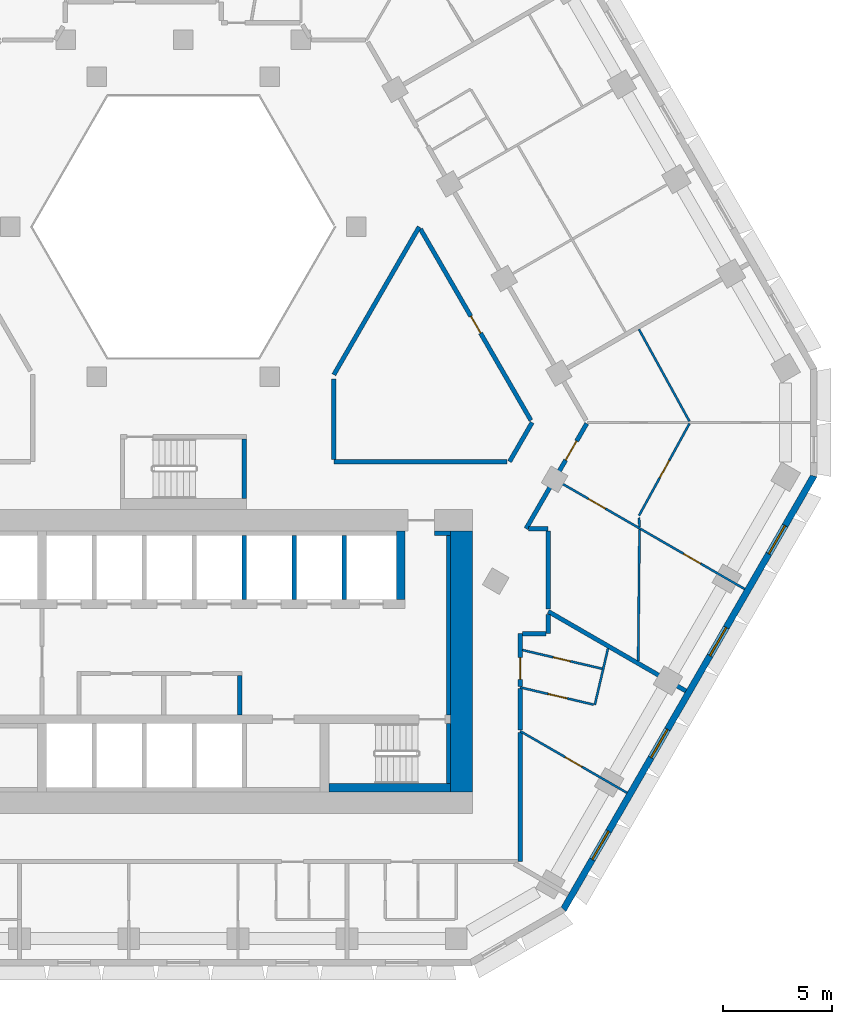
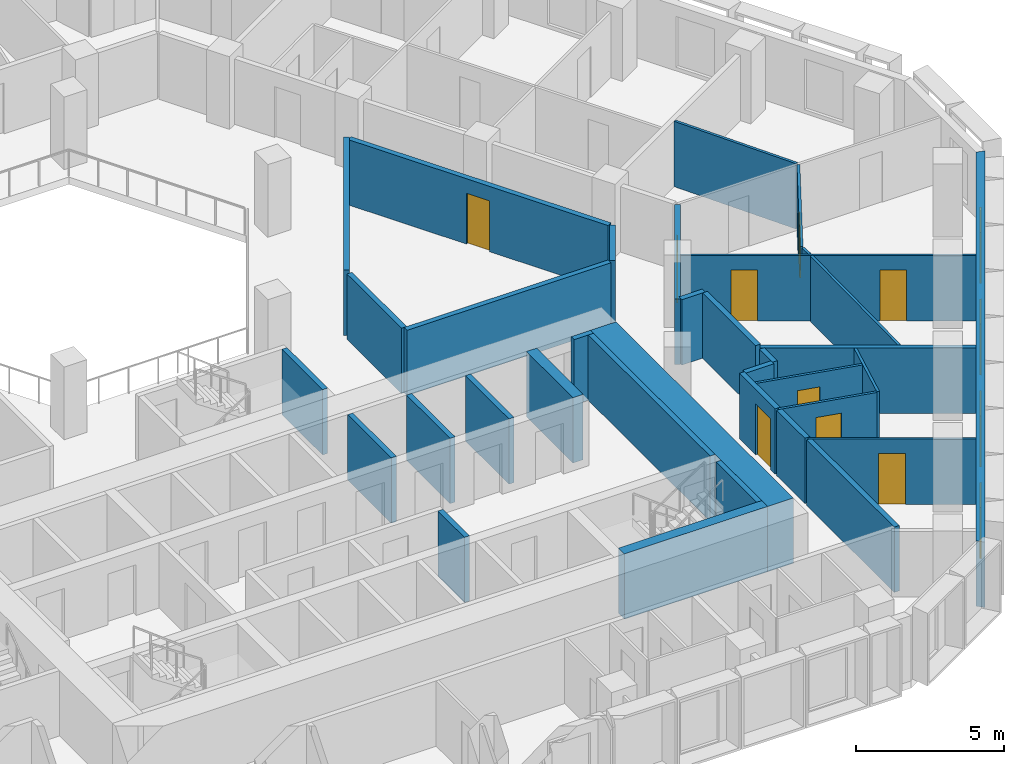
# One storey, part 6 of 15: 35 walls, 9 doors, 4 windows, 13 openings.
"""IFC4 building model written with IfcOpenShell, lengths in metres."""

from ifc_helpers import new_model, si_unit, direction, frame, frame_2d, origin, place, context, subcontext, project, spatial, polyline, rectangle, outline, extrude, material, layer, layer_set, type_object, element, fill, save


model = new_model("IFC4")

# Units and contexts
model_context = context("Model", 3, precision=1e-05, world=origin(), true_north=direction((0.0, 1.0)))
body_context = subcontext(model_context, "Body", "Model", "MODEL_VIEW")
ifc_project = project(units=[si_unit("LENGTHUNIT", "METRE"), si_unit("AREAUNIT", "SQUARE_METRE"), si_unit("VOLUMEUNIT", "CUBIC_METRE"), si_unit("PLANEANGLEUNIT", "RADIAN"), si_unit("MASSUNIT", "GRAM", prefix="KILO")], contexts=[model_context])

# Site, building, storey
site_placement = place(None, origin())
site = spatial("IfcSite", under=ifc_project, at=site_placement, CompositionType="ELEMENT")
building_placement = place(site_placement, origin())
building = spatial("IfcBuilding", under=site, at=building_placement, Name="Beryl Residences", CompositionType="ELEMENT")
storey_placement = place(building_placement, frame((0.0, 0.0, 72.0)))
storey = spatial("IfcBuildingStorey", under=building, at=storey_placement, Name="L21", CompositionType="ELEMENT", Elevation=72.0)

# Wall, openings, windows
ifc_material_1 = material(Name="Composite metal panel with mineral wool insulation")
ifc_layer_1 = layer(ifc_material_1, 0.300048828125)
ifc_layer_set_1 = layer_set([ifc_layer_1], Name="ES1 pale metal composite panel wall 300 mm")
wall_type_1 = type_object("IfcWallType", Name="ES1 pale metal composite panel wall 300 mm", PredefinedType="SOLIDWALL", material=ifc_layer_set_1)
wall_1_placement = place(storey_placement, frame((17.47900390625, -23.425048828125, 0.0), z_axis=(0.0, 0.0, 1.0), x_axis=(0.500035407905, 0.866004960056, 0.0)))
wall_1 = element("IfcWall", 1, at=wall_1_placement, inside=storey, type_object=wall_type_1, Name="ES1 external wall L21 SE", PredefinedType="SOLIDWALL", context=body_context, shape_type="SweptSolid", body=[
    extrude(outline(polyline([(0.0, -0.14990234375), (23.094482421875, -0.14990234375), (23.01416015625, 0.14990234375), (0.080322265625, 0.14990234375), (0.0, -0.14990234375)])), origin(), (0.0, 0.0, 1.0), 2.699951171875),
])
opening_1_placement = place(wall_1_placement, frame((2.677001953125, 0.0, 0.14990234375)))
opening_1 = element("IfcOpeningElement", 2, at=opening_1_placement, cuts=wall_1, Name="Opening W1", PredefinedType="OPENING", context=body_context, shape_type="SweptSolid", body=[
    extrude(rectangle(XDim=1.5, YDim=2.10009765625, at=frame_2d((0.75, 1.050048828125))), frame((0.0, 0.159912109375, 0.0), z_axis=(0.0, -1.0, 0.0), x_axis=(1.0, 0.0, 0.0)), (0.0, 0.0, 1.0), 0.320068359375),
])
opening_2_placement = place(wall_1_placement, frame((8.091064453125, 0.0, 0.14990234375)))
opening_2 = element("IfcOpeningElement", 3, at=opening_2_placement, cuts=wall_1, Name="Opening W1", PredefinedType="OPENING", context=body_context, shape_type="SweptSolid", body=[
    extrude(rectangle(XDim=1.5, YDim=2.10009765625, at=frame_2d((0.75, 1.050048828125))), frame((0.0, 0.159912109375, 0.0), z_axis=(0.0, -1.0, 0.0), x_axis=(1.0, 0.0, 0.0)), (0.0, 0.0, 1.0), 0.320068359375),
])
opening_3_placement = place(wall_1_placement, frame((13.50390625, 0.0, 0.14990234375)))
opening_3 = element("IfcOpeningElement", 4, at=opening_3_placement, cuts=wall_1, Name="Opening W1", PredefinedType="OPENING", context=body_context, shape_type="SweptSolid", body=[
    extrude(rectangle(XDim=1.5, YDim=2.10009765625, at=frame_2d((0.75, 1.050048828125))), frame((0.0, 0.159912109375, 0.0), z_axis=(0.0, -1.0, 0.0), x_axis=(1.0, 0.0, 0.0)), (0.0, 0.0, 1.0), 0.320068359375),
])
opening_4_placement = place(wall_1_placement, frame((18.9169921875, 0.0, 0.14990234375)))
opening_4 = element("IfcOpeningElement", 5, at=opening_4_placement, cuts=wall_1, Name="Opening W1", PredefinedType="OPENING", context=body_context, shape_type="SweptSolid", body=[
    extrude(rectangle(XDim=1.5, YDim=2.10009765625, at=frame_2d((0.75, 1.050048828125))), frame((0.0, 0.159912109375, 0.0), z_axis=(0.0, -1.0, 0.0), x_axis=(1.0, 0.0, 0.0)), (0.0, 0.0, 1.0), 0.320068359375),
])
ifc_material_2 = material(Name="Aluminium and clear glass", Category="aluminium")
window_type = type_object("IfcWindowType", Name="W1 cell window 1500 x 2100 mm", PartitioningType="SINGLE_PANEL", PredefinedType="WINDOW", material=ifc_material_2)
window_1_placement = place(opening_1_placement, origin())
window_1 = element("IfcWindow", 6, at=window_1_placement, inside=storey, type_object=window_type, Name="W1 window L21 SE 2", OverallHeight=2.10009765625, OverallWidth=1.5, PartitioningType="SINGLE_PANEL", PredefinedType="WINDOW", context=body_context, shape_type="SweptSolid", body=[
    extrude(rectangle(XDim=1.5, YDim=2.10009765625, at=frame_2d((0.75, 1.050048828125))), frame((0.0, 0.030029296875, 0.0), z_axis=(0.0, -1.0, 0.0), x_axis=(1.0, 0.0, 0.0)), (0.0, 0.0, 1.0), 0.06005859375),
])
fill(opening_1, window_1)
window_2_placement = place(opening_2_placement, origin())
window_2 = element("IfcWindow", 7, at=window_2_placement, inside=storey, type_object=window_type, Name="W1 window L21 SE 4", OverallHeight=2.10009765625, OverallWidth=1.5, PartitioningType="SINGLE_PANEL", PredefinedType="WINDOW", context=body_context, shape_type="SweptSolid", body=[
    extrude(rectangle(XDim=1.5, YDim=2.10009765625, at=frame_2d((0.75, 1.050048828125))), frame((0.0, 0.030029296875, 0.0), z_axis=(0.0, -1.0, 0.0), x_axis=(1.0, 0.0, 0.0)), (0.0, 0.0, 1.0), 0.06005859375),
])
fill(opening_2, window_2)
window_3_placement = place(opening_3_placement, origin())
window_3 = element("IfcWindow", 8, at=window_3_placement, inside=storey, type_object=window_type, Name="W1 window L21 SE 6", OverallHeight=2.10009765625, OverallWidth=1.5, PartitioningType="SINGLE_PANEL", PredefinedType="WINDOW", context=body_context, shape_type="SweptSolid", body=[
    extrude(rectangle(XDim=1.5, YDim=2.10009765625, at=frame_2d((0.75, 1.050048828125))), frame((0.0, 0.030029296875, 0.0), z_axis=(0.0, -1.0, 0.0), x_axis=(1.0, 0.0, 0.0)), (0.0, 0.0, 1.0), 0.06005859375),
])
fill(opening_3, window_3)
window_4_placement = place(opening_4_placement, origin())
window_4 = element("IfcWindow", 9, at=window_4_placement, inside=storey, type_object=window_type, Name="W1 window L21 SE 8", OverallHeight=2.10009765625, OverallWidth=1.5, PartitioningType="SINGLE_PANEL", PredefinedType="WINDOW", context=body_context, shape_type="SweptSolid", body=[
    extrude(rectangle(XDim=1.5, YDim=2.10009765625, at=frame_2d((0.75, 1.050048828125))), frame((0.0, 0.030029296875, 0.0), z_axis=(0.0, -1.0, 0.0), x_axis=(1.0, 0.0, 0.0)), (0.0, 0.0, 1.0), 0.06005859375),
])
fill(opening_4, window_4)

# Walls
ifc_material_3 = material(Name="Gypsum board partition on steel studs", Category="steel")
ifc_layer_2 = layer(ifc_material_3, 0.10009765625)
ifc_layer_set_2 = layer_set([ifc_layer_2], Name="PT1 partition 100 mm gypsum board on steel studs")
wall_type_2 = type_object("IfcWallType", Name="PT1 partition 100 mm gypsum board on steel studs", PredefinedType="PARTITIONING", material=ifc_layer_set_2)
wall_2_placement = place(storey_placement, frame((20.964111328125, 3.287109375, 0.0), z_axis=(0.0, 0.0, 1.0), x_axis=(0.48115599782, -0.87663499004, 0.0)))
element("IfcWall", 10, at=wall_2_placement, inside=storey, type_object=wall_type_2, Name="Wall PT1 L21 008", PredefinedType="PARTITIONING", context=body_context, shape_type="SweptSolid", body=[
    extrude(rectangle(XDim=4.830078125, YDim=0.10009765625, at=frame_2d((2.4150390625, 0.0))), origin(), (0.0, 0.0, 1.0), 2.699951171875),
])
wall_3_placement = place(storey_placement, frame((20.969970703125, -5.382080078125, 0.0), z_axis=(0.0, 0.0, 1.0), x_axis=(0.042272072097, -0.999106136464, 0.0)))
element("IfcWall", 11, at=wall_3_placement, inside=storey, type_object=wall_type_2, Name="Wall PT1 L21 010", PredefinedType="PARTITIONING", context=body_context, shape_type="SweptSolid", body=[
    extrude(rectangle(XDim=0.427490234375, YDim=0.10009765625, at=frame_2d((0.2138671875, 0.0))), origin(), (0.0, 0.0, 1.0), 2.699951171875),
])

# Wall, opening, door
wall_4_placement = place(storey_placement, frame((15.60009765625, -11.468017578125, 0.0), z_axis=(0.0, 0.0, 1.0), x_axis=(0.973574036597, -0.228371616592, 0.0)))
wall_4 = element("IfcWall", 12, at=wall_4_placement, inside=storey, type_object=wall_type_2, Name="Wall PT1 L21 014", PredefinedType="PARTITIONING", context=body_context, shape_type="SweptSolid", body=[
    extrude(rectangle(XDim=3.7705078125, YDim=0.10009765625, at=frame_2d((1.88525390625, 0.0))), origin(), (0.0, 0.0, 1.0), 2.699951171875),
])
opening_5_placement = place(wall_4_placement, frame((1.458984375, 0.0, 0.0)))
opening_5 = element("IfcOpeningElement", 13, at=opening_5_placement, cuts=wall_4, Name="Opening D0860", PredefinedType="OPENING", context=body_context, shape_type="SweptSolid", body=[
    extrude(rectangle(XDim=0.800048828125, YDim=2.10009765625, at=frame_2d((0.39990234375, 1.050048828125))), frame((0.0, 0.06005859375, 0.0), z_axis=(0.0, -1.0, 0.0), x_axis=(1.0, 0.0, 0.0)), (0.0, 0.0, 1.0), 0.1201171875),
])
ifc_material_4 = material(Name="Timber door leaf", Category="wood")
door_type_1 = type_object("IfcDoorType", Name="D3 bathroom door 800 x 2100 mm", OperationType="SINGLE_SWING_LEFT", PredefinedType="DOOR", material=ifc_material_4)
door_1_placement = place(opening_5_placement, origin())
door_1 = element("IfcDoor", 14, at=door_1_placement, inside=storey, type_object=door_type_1, Name="Door D0860 L21 001", OperationType="SINGLE_SWING_RIGHT", OverallHeight=2.10009765625, OverallWidth=0.800048828125, PredefinedType="DOOR", context=body_context, shape_type="SweptSolid", body=[
    extrude(rectangle(XDim=0.800048828125, YDim=2.10009765625, at=frame_2d((0.39990234375, 1.050048828125))), frame((0.0, 0.02490234375, 0.0), z_axis=(0.0, -1.0, 0.0), x_axis=(1.0, 0.0, 0.0)), (0.0, 0.0, 1.0), 0.050048828125),
])
fill(opening_5, door_1)

wall_5_placement = place(storey_placement, frame((15.5, -13.18701171875, 0.0), z_axis=(0.0, 0.0, 1.0), x_axis=(0.973612163993, -0.228209014119, 0.0)))
wall_5 = element("IfcWall", 15, at=wall_5_placement, inside=storey, type_object=wall_type_2, Name="Wall PT1 L21 015", PredefinedType="PARTITIONING", context=body_context, shape_type="SweptSolid", body=[
    extrude(rectangle(XDim=3.474853515625, YDim=0.10009765625, at=frame_2d((1.7373046875, 0.0))), origin(), (0.0, 0.0, 1.0), 2.699951171875),
])
opening_6_placement = place(wall_5_placement, frame((1.31298828125, 0.0, 0.0)))
opening_6 = element("IfcOpeningElement", 16, at=opening_6_placement, cuts=wall_5, Name="Opening D0861", PredefinedType="OPENING", context=body_context, shape_type="SweptSolid", body=[
    extrude(rectangle(XDim=0.89990234375, YDim=2.10009765625, at=frame_2d((0.449951171875, 1.050048828125))), frame((0.0, 0.06005859375, 0.0), z_axis=(0.0, -1.0, 0.0), x_axis=(1.0, 0.0, 0.0)), (0.0, 0.0, 1.0), 0.1201171875),
])
ifc_material_5 = material(Name="Timber door leaf", Category="wood")
door_type_2 = type_object("IfcDoorType", Name="D2 room door 900 x 2100 mm", OperationType="SINGLE_SWING_LEFT", PredefinedType="DOOR", material=ifc_material_5)
door_2_placement = place(opening_6_placement, origin())
door_2 = element("IfcDoor", 17, at=door_2_placement, inside=storey, type_object=door_type_2, Name="Door D0861 L21 001", OperationType="SINGLE_SWING_LEFT", OverallHeight=2.10009765625, OverallWidth=0.89990234375, PredefinedType="DOOR", context=body_context, shape_type="SweptSolid", body=[
    extrude(rectangle(XDim=0.89990234375, YDim=2.10009765625, at=frame_2d((0.449951171875, 1.050048828125))), frame((0.0, 0.02490234375, 0.0), z_axis=(0.0, -1.0, 0.0), x_axis=(1.0, 0.0, 0.0)), (0.0, 0.0, 1.0), 0.050048828125),
])
fill(opening_6, door_2)

wall_6_placement = place(storey_placement, frame((15.5, -15.199951171875, 0.0), z_axis=(0.0, 0.0, 1.0), x_axis=(0.866035181374, -0.499983064336, 0.0)))
wall_6 = element("IfcWall", 18, at=wall_6_placement, inside=storey, type_object=wall_type_2, Name="Wall PT1 L21 020", PredefinedType="PARTITIONING", context=body_context, shape_type="SweptSolid", body=[
    extrude(rectangle(XDim=5.676513671875, YDim=0.10009765625, at=frame_2d((2.83837890625, 0.0))), origin(), (0.0, 0.0, 1.0), 2.699951171875),
])
opening_7_placement = place(wall_6_placement, frame((2.387939453125, 0.0, 0.0)))
opening_7 = element("IfcOpeningElement", 19, at=opening_7_placement, cuts=wall_6, Name="Opening D0862", PredefinedType="OPENING", context=body_context, shape_type="SweptSolid", body=[
    extrude(rectangle(XDim=0.89990234375, YDim=2.10009765625, at=frame_2d((0.449951171875, 1.050048828125))), frame((0.0, 0.06005859375, 0.0), z_axis=(0.0, -1.0, 0.0), x_axis=(1.0, 0.0, 0.0)), (0.0, 0.0, 1.0), 0.1201171875),
])
door_3_placement = place(opening_7_placement, origin())
door_3 = element("IfcDoor", 20, at=door_3_placement, inside=storey, type_object=door_type_2, Name="Door D0862 L21 001", OperationType="SINGLE_SWING_RIGHT", OverallHeight=2.10009765625, OverallWidth=0.89990234375, PredefinedType="DOOR", context=body_context, shape_type="SweptSolid", body=[
    extrude(rectangle(XDim=0.89990234375, YDim=2.10009765625, at=frame_2d((0.449951171875, 1.050048828125))), frame((0.0, 0.02490234375, 0.0), z_axis=(0.0, -1.0, 0.0), x_axis=(1.0, 0.0, 0.0)), (0.0, 0.0, 1.0), 0.050048828125),
])
fill(opening_7, door_3)

# Wall, openings, doors
wall_7_placement = place(storey_placement, frame((17.1689453125, -3.662109375, 0.0), z_axis=(0.0, 0.0, 1.0), x_axis=(0.866047370643, -0.499961950354, 0.0)))
wall_7 = element("IfcWall", 21, at=wall_7_placement, inside=storey, type_object=wall_type_2, Name="Wall PT1 L21 023", PredefinedType="PARTITIONING", context=body_context, shape_type="SweptSolid", body=[
    extrude(rectangle(XDim=10.000732421875, YDim=0.10009765625, at=frame_2d((5.00048828125, 0.0))), origin(), (0.0, 0.0, 1.0), 2.699951171875),
])
opening_8_placement = place(wall_7_placement, frame((1.7060546875, 0.0, 0.0)))
opening_8 = element("IfcOpeningElement", 22, at=opening_8_placement, cuts=wall_7, Name="Opening D0804", PredefinedType="OPENING", context=body_context, shape_type="SweptSolid", body=[
    extrude(rectangle(XDim=0.89990234375, YDim=2.10009765625, at=frame_2d((0.449951171875, 1.050048828125))), frame((0.0, 0.06005859375, 0.0), z_axis=(0.0, -1.0, 0.0), x_axis=(1.0, 0.0, 0.0)), (0.0, 0.0, 1.0), 0.1201171875),
])
opening_9_placement = place(wall_7_placement, frame((6.757080078125, 0.0, 0.0)))
opening_9 = element("IfcOpeningElement", 23, at=opening_9_placement, cuts=wall_7, Name="Opening D0805", PredefinedType="OPENING", context=body_context, shape_type="SweptSolid", body=[
    extrude(rectangle(XDim=0.89990234375, YDim=2.10009765625, at=frame_2d((0.449951171875, 1.050048828125))), frame((0.0, 0.06005859375, 0.0), z_axis=(0.0, -1.0, 0.0), x_axis=(1.0, 0.0, 0.0)), (0.0, 0.0, 1.0), 0.1201171875),
])
door_4_placement = place(opening_8_placement, origin())
door_4 = element("IfcDoor", 24, at=door_4_placement, inside=storey, type_object=door_type_2, Name="Door D0804 L21 001", OperationType="SINGLE_SWING_RIGHT", OverallHeight=2.10009765625, OverallWidth=0.89990234375, PredefinedType="DOOR", context=body_context, shape_type="SweptSolid", body=[
    extrude(rectangle(XDim=0.89990234375, YDim=2.10009765625, at=frame_2d((0.449951171875, 1.050048828125))), frame((0.0, 0.02490234375, 0.0), z_axis=(0.0, -1.0, 0.0), x_axis=(1.0, 0.0, 0.0)), (0.0, 0.0, 1.0), 0.050048828125),
])
fill(opening_8, door_4)
door_5_placement = place(opening_9_placement, origin())
door_5 = element("IfcDoor", 25, at=door_5_placement, inside=storey, type_object=door_type_2, Name="Door D0805 L21 001", OperationType="SINGLE_SWING_LEFT", OverallHeight=2.10009765625, OverallWidth=0.89990234375, PredefinedType="DOOR", context=body_context, shape_type="SweptSolid", body=[
    extrude(rectangle(XDim=0.89990234375, YDim=2.10009765625, at=frame_2d((0.449951171875, 1.050048828125))), frame((0.0, 0.02490234375, 0.0), z_axis=(0.0, -1.0, 0.0), x_axis=(1.0, 0.0, 0.0)), (0.0, 0.0, 1.0), 0.050048828125),
])
fill(opening_9, door_5)

# Wall, opening, door
wall_8_placement = place(storey_placement, frame((20.966064453125, -5.284912109375, 0.0), z_axis=(0.0, 0.0, 1.0), x_axis=(0.480851410542, 0.876802099096, 0.0)))
wall_8 = element("IfcWall", 26, at=wall_8_placement, inside=storey, type_object=wall_type_2, Name="Wall PT1 L21 040", PredefinedType="PARTITIONING", context=body_context, shape_type="SweptSolid", body=[
    extrude(rectangle(XDim=4.8310546875, YDim=0.10009765625, at=frame_2d((2.41552734375, 0.0))), origin(), (0.0, 0.0, 1.0), 2.699951171875),
])
opening_10_placement = place(wall_8_placement, frame((1.993896484375, 0.0, 0.0)))
opening_10 = element("IfcOpeningElement", 27, at=opening_10_placement, cuts=wall_8, Name="Opening D0802", PredefinedType="OPENING", context=body_context, shape_type="SweptSolid", body=[
    extrude(rectangle(XDim=0.89990234375, YDim=2.10009765625, at=frame_2d((0.449951171875, 1.050048828125))), frame((0.0, 0.06005859375, 0.0), z_axis=(0.0, -1.0, 0.0), x_axis=(1.0, 0.0, 0.0)), (0.0, 0.0, 1.0), 0.1201171875),
])
door_6_placement = place(opening_10_placement, origin())
door_6 = element("IfcDoor", 28, at=door_6_placement, inside=storey, type_object=door_type_2, Name="Door D0802 L21 001", OperationType="SINGLE_SWING_RIGHT", OverallHeight=2.10009765625, OverallWidth=0.89990234375, PredefinedType="DOOR", context=body_context, shape_type="SweptSolid", body=[
    extrude(rectangle(XDim=0.89990234375, YDim=2.10009765625, at=frame_2d((0.449951171875, 1.050048828125))), frame((0.0, 0.02490234375, 0.0), z_axis=(0.0, -1.0, 0.0), x_axis=(1.0, 0.0, 0.0)), (0.0, 0.0, 1.0), 0.050048828125),
])
fill(opening_10, door_6)

# Walls
wall_9_placement = place(storey_placement, frame((18.93310546875, -13.990966796875, 0.0), z_axis=(0.0, 0.0, 1.0), x_axis=(0.228170964135, 0.973621081903, 0.0)))
element("IfcWall", 29, at=wall_9_placement, inside=storey, type_object=wall_type_2, Name="Wall PT1 L21 041", PredefinedType="PARTITIONING", context=body_context, shape_type="SweptSolid", body=[
    extrude(rectangle(XDim=2.664306640625, YDim=0.10009765625, at=frame_2d((1.33203125, 0.0))), origin(), (0.0, 0.0, 1.0), 2.699951171875),
])
wall_10_placement = place(storey_placement, frame((20.929931640625, -11.968017578125, 0.0), z_axis=(0.0, 0.0, 1.0), x_axis=(0.009938100012, 0.999950615865, 0.0)))
element("IfcWall", 30, at=wall_10_placement, inside=storey, type_object=wall_type_2, Name="Wall PT1 L21 046", PredefinedType="PARTITIONING", context=body_context, shape_type="SweptSolid", body=[
    extrude(rectangle(XDim=6.043212890625, YDim=0.10009765625, at=frame_2d((3.021484375, 0.0))), origin(), (0.0, 0.0, 1.0), 2.699951171875),
])
ifc_material_6 = material(Name="Concrete masonry", Category="masonry")
ifc_layer_3 = layer(ifc_material_6, 0.199951171875)
ifc_layer_set_3 = layer_set([ifc_layer_3], Name="PT13 lobby wall 200 mm")
wall_type_3 = type_object("IfcWallType", Name="PT13 lobby wall 200 mm", PredefinedType="PARTITIONING", material=ifc_layer_set_3)
wall_11_placement = place(storey_placement, frame((2.60009765625, -14.449951171875, 0.0), z_axis=(0.0, 0.0, 1.0), x_axis=(0.0, 1.0, 0.0)))
element("IfcWall", 31, at=wall_11_placement, inside=storey, type_object=wall_type_3, Name="Lobby wall 23", PredefinedType="PARTITIONING", context=body_context, shape_type="SweptSolid", body=[
    extrude(rectangle(XDim=1.800048828125, YDim=0.199951171875, at=frame_2d((0.89990234375, 0.0))), origin(), (0.0, 0.0, 1.0), 2.699951171875),
])
wall_12_placement = place(storey_placement, frame((11.550048828125, -6.10009765625, 0.0), z_axis=(0.0, 0.0, 1.0), x_axis=(1.0, 0.0, 0.0)))
element("IfcWall", 32, at=wall_12_placement, inside=storey, type_object=wall_type_3, Name="Lobby wall 29", PredefinedType="PARTITIONING", context=body_context, shape_type="SweptSolid", body=[
    extrude(rectangle(XDim=0.75, YDim=0.199951171875, at=frame_2d((0.375, 0.0))), origin(), (0.0, 0.0, 1.0), 2.699951171875),
])
wall_13_placement = place(storey_placement, frame((12.199951171875, -14.449951171875, 0.0), z_axis=(0.0, 0.0, 1.0), x_axis=(0.0, 1.0, 0.0)))
element("IfcWall", 33, at=wall_13_placement, inside=storey, type_object=wall_type_3, Name="Lobby wall 31", PredefinedType="PARTITIONING", context=body_context, shape_type="SweptSolid", body=[
    extrude(rectangle(XDim=8.25, YDim=0.199951171875, at=frame_2d((4.125, 0.0))), origin(), (0.0, 0.0, 1.0), 2.699951171875),
])
ifc_material_7 = material(Name="Acoustic double stud gypsum board wall")
ifc_layer_4 = layer(ifc_material_7, 0.199951171875)
ifc_layer_set_4 = layer_set([ifc_layer_4], Name="PT3 party wall 200 mm acoustic double stud")
wall_type_4 = type_object("IfcWallType", Name="PT3 party wall 200 mm acoustic double stud", PredefinedType="PARTITIONING", material=ifc_layer_set_4)
wall_14_placement = place(storey_placement, frame((16.7919921875, -9.695068359375, 0.0), z_axis=(0.0, 0.0, 1.0), x_axis=(0.86603765469, -0.499978780208, 0.0)))
element("IfcWall", 34, at=wall_14_placement, inside=storey, type_object=wall_type_4, Name="Wall PT3 L21 006", PredefinedType="PARTITIONING", context=body_context, shape_type="SweptSolid", body=[
    extrude(rectangle(XDim=7.310302734375, YDim=0.199951171875, at=frame_2d((3.6552734375, 0.0))), origin(), (0.0, 0.0, 1.0), 2.699951171875),
])

# Wall, opening, door
ifc_material_8 = material(Name="Double stud gypsum board wall")
ifc_layer_5 = layer(ifc_material_8, 0.199951171875)
ifc_layer_set_5 = layer_set([ifc_layer_5], Name="PT4 corridor wall 200 mm double stud")
wall_type_5 = type_object("IfcWallType", Name="PT4 corridor wall 200 mm double stud", PredefinedType="PARTITIONING", material=ifc_layer_set_5)
wall_15_placement = place(storey_placement, frame((10.9130859375, 7.89892578125, 0.0), z_axis=(0.0, 0.0, 1.0), x_axis=(0.500028940566, -0.866008694296, 0.0)))
wall_15 = element("IfcWall", 35, at=wall_15_placement, inside=storey, type_object=wall_type_5, Name="Wall PT4 L21 005", PredefinedType="PARTITIONING", context=body_context, shape_type="SweptSolid", body=[
    extrude(rectangle(XDim=10.1591796875, YDim=0.199951171875, at=frame_2d((5.07958984375, 0.0))), origin(), (0.0, 0.0, 1.0), 2.699951171875),
])
opening_11_placement = place(wall_15_placement, frame((4.6298828125, 0.0, 0.0)))
opening_11 = element("IfcOpeningElement", 36, at=opening_11_placement, cuts=wall_15, Name="Opening D0864", PredefinedType="OPENING", context=body_context, shape_type="SweptSolid", body=[
    extrude(rectangle(XDim=0.89990234375, YDim=2.10009765625, at=frame_2d((0.449951171875, 1.050048828125))), frame((0.0, 0.10986328125, 0.0), z_axis=(0.0, -1.0, 0.0), x_axis=(1.0, 0.0, 0.0)), (0.0, 0.0, 1.0), 0.219970703125),
])
door_7_placement = place(opening_11_placement, origin())
door_7 = element("IfcDoor", 37, at=door_7_placement, inside=storey, type_object=door_type_2, Name="Door D0864 L21 001", OperationType="SINGLE_SWING_RIGHT", OverallHeight=2.10009765625, OverallWidth=0.89990234375, PredefinedType="DOOR", context=body_context, shape_type="SweptSolid", body=[
    extrude(rectangle(XDim=0.89990234375, YDim=2.10009765625, at=frame_2d((0.449951171875, 1.050048828125))), frame((0.0, 0.02490234375, 0.0), z_axis=(0.0, -1.0, 0.0), x_axis=(1.0, 0.0, 0.0)), (0.0, 0.0, 1.0), 0.050048828125),
])
fill(opening_11, door_7)

# Walls
wall_16_placement = place(storey_placement, frame((6.927978515625, 1.0, 0.0), z_axis=(0.0, 0.0, 1.0), x_axis=(0.0, -1.0, 0.0)))
element("IfcWall", 38, at=wall_16_placement, inside=storey, type_object=wall_type_5, Name="Wall PT4 L21 009", PredefinedType="PARTITIONING", context=body_context, shape_type="SweptSolid", body=[
    extrude(rectangle(XDim=3.698974609375, YDim=0.199951171875, at=frame_2d((1.849609375, 0.0))), origin(), (0.0, 0.0, 1.0), 2.699951171875),
])
wall_17_placement = place(storey_placement, frame((15.5, -13.239013671875, 0.0), z_axis=(0.0, 0.0, 1.0), x_axis=(0.0, -1.0, 0.0)))
element("IfcWall", 39, at=wall_17_placement, inside=storey, type_object=wall_type_5, Name="Wall PT4 L21 010", PredefinedType="PARTITIONING", context=body_context, shape_type="SweptSolid", body=[
    extrude(rectangle(XDim=1.903076171875, YDim=0.199951171875, at=frame_2d((0.95166015625, 0.0))), origin(), (0.0, 0.0, 1.0), 2.699951171875),
])
wall_18_placement = place(storey_placement, frame((16.791015625, -5.985107421875, 0.0), z_axis=(0.0, 0.0, 1.0), x_axis=(0.0, -1.0, 0.0)))
element("IfcWall", 40, at=wall_18_placement, inside=storey, type_object=wall_type_5, Name="Wall PT4 L21 011", PredefinedType="PARTITIONING", context=body_context, shape_type="SweptSolid", body=[
    extrude(rectangle(XDim=3.5927734375, YDim=0.199951171875, at=frame_2d((1.79638671875, 0.0))), origin(), (0.0, 0.0, 1.0), 2.699951171875),
])
wall_19_placement = place(storey_placement, frame((15.886962890625, -5.885009765625, 0.0), z_axis=(0.0, 0.0, 1.0), x_axis=(1.0, 0.0, 0.0)))
element("IfcWall", 41, at=wall_19_placement, inside=storey, type_object=wall_type_5, Name="Wall PT4 L21 013", PredefinedType="PARTITIONING", context=body_context, shape_type="SweptSolid", body=[
    extrude(rectangle(XDim=0.904052734375, YDim=0.199951171875, at=frame_2d((0.4521484375, 0.0))), origin(), (0.0, 0.0, 1.0), 2.699951171875),
])
wall_20_placement = place(storey_placement, frame((15.60107421875, -10.715087890625, 0.0), z_axis=(0.0, 0.0, 1.0), x_axis=(1.0, 0.0, 0.0)))
element("IfcWall", 42, at=wall_20_placement, inside=storey, type_object=wall_type_5, Name="Wall PT4 L21 015", PredefinedType="PARTITIONING", context=body_context, shape_type="SweptSolid", body=[
    extrude(rectangle(XDim=1.08984375, YDim=0.199951171875, at=frame_2d((0.544921875, 0.0))), origin(), (0.0, 0.0, 1.0), 2.699951171875),
])
wall_21_placement = place(storey_placement, frame((6.928955078125, -2.800048828125, 0.0), z_axis=(0.0, 0.0, 1.0), x_axis=(1.0, 0.0, 0.0)))
element("IfcWall", 43, at=wall_21_placement, inside=storey, type_object=wall_type_5, Name="Wall PT4 L21 019", PredefinedType="PARTITIONING", context=body_context, shape_type="SweptSolid", body=[
    extrude(rectangle(XDim=7.966064453125, YDim=0.199951171875, at=frame_2d((3.98291015625, 0.0))), origin(), (0.0, 0.0, 1.0), 2.699951171875),
])
wall_22_placement = place(storey_placement, frame((6.927978515625, 1.199951171875, 0.0), z_axis=(0.0, 0.0, 1.0), x_axis=(0.500055327065, 0.865993458332, 0.0)))
element("IfcWall", 44, at=wall_22_placement, inside=storey, type_object=wall_type_5, Name="Wall PT4 L21 024", PredefinedType="PARTITIONING", context=body_context, shape_type="SweptSolid", body=[
    extrude(rectangle(XDim=7.85107421875, YDim=0.199951171875, at=frame_2d((3.925537109375, 0.0))), origin(), (0.0, 0.0, 1.0), 2.699951171875),
])
wall_23_placement = place(storey_placement, frame((15.010986328125, -2.800048828125, 0.0), z_axis=(0.0, 0.0, 1.0), x_axis=(0.499929208183, 0.866066271601, 0.0)))
element("IfcWall", 45, at=wall_23_placement, inside=storey, type_object=wall_type_5, Name="Wall PT4 L21 025", PredefinedType="PARTITIONING", context=body_context, shape_type="SweptSolid", body=[
    extrude(rectangle(XDim=2.078369140625, YDim=0.199951171875, at=frame_2d((1.0390625, 0.0))), origin(), (0.0, 0.0, 1.0), 2.699951171875),
])

# Wall, opening, door
wall_24_placement = place(storey_placement, frame((15.77099609375, -5.884033203125, 0.0), z_axis=(0.0, 0.0, 1.0), x_axis=(0.499939494019, 0.866060334111, 0.0)))
wall_24 = element("IfcWall", 46, at=wall_24_placement, inside=storey, type_object=wall_type_5, Name="Wall PT4 L21 026", PredefinedType="PARTITIONING", context=body_context, shape_type="SweptSolid", body=[
    extrude(rectangle(XDim=5.582763671875, YDim=0.199951171875, at=frame_2d((2.79150390625, 0.0))), origin(), (0.0, 0.0, 1.0), 2.699951171875),
])
opening_12_placement = place(wall_24_placement, frame((3.64697265625, 0.0, 0.0)))
opening_12 = element("IfcOpeningElement", 47, at=opening_12_placement, cuts=wall_24, Name="Opening D0801", PredefinedType="OPENING", context=body_context, shape_type="SweptSolid", body=[
    extrude(rectangle(XDim=1.0, YDim=2.10009765625, at=frame_2d((0.5, 1.050048828125))), frame((0.0, 0.10986328125, 0.0), z_axis=(0.0, -1.0, 0.0), x_axis=(1.0, 0.0, 0.0)), (0.0, 0.0, 1.0), 0.219970703125),
])
ifc_material_9 = material(Name="Timber door leaf", Category="wood")
door_type_3 = type_object("IfcDoorType", Name="D1 flat entrance door 1000 x 2100 mm", OperationType="SINGLE_SWING_LEFT", PredefinedType="DOOR", material=ifc_material_9)
door_8_placement = place(opening_12_placement, origin())
door_8 = element("IfcDoor", 48, at=door_8_placement, inside=storey, type_object=door_type_3, Name="Door D0801 L21 001", OperationType="SINGLE_SWING_LEFT", OverallHeight=2.10009765625, OverallWidth=1.0, PredefinedType="DOOR", context=body_context, shape_type="SweptSolid", body=[
    extrude(rectangle(XDim=1.0, YDim=2.10009765625, at=frame_2d((0.5, 1.050048828125))), frame((0.0, 0.02490234375, 0.0), z_axis=(0.0, -1.0, 0.0), x_axis=(1.0, 0.0, 0.0)), (0.0, 0.0, 1.0), 0.050048828125),
])
fill(opening_12, door_8)

# Wall
wall_25_placement = place(storey_placement, frame((15.5, -21.198974609375, 0.0), z_axis=(0.0, 0.0, 1.0), x_axis=(0.0, 1.0, 0.0)))
element("IfcWall", 49, at=wall_25_placement, inside=storey, type_object=wall_type_5, Name="Wall PT4 L21 030", PredefinedType="PARTITIONING", context=body_context, shape_type="SweptSolid", body=[
    extrude(rectangle(XDim=5.94189453125, YDim=0.199951171875, at=frame_2d((2.970947265625, 0.0))), origin(), (0.0, 0.0, 1.0), 2.699951171875),
])

# Wall, opening, door
wall_26_placement = place(storey_placement, frame((15.5, -13.135986328125, 0.0), z_axis=(0.0, 0.0, 1.0), x_axis=(0.0, 1.0, 0.0)))
wall_26 = element("IfcWall", 50, at=wall_26_placement, inside=storey, type_object=wall_type_5, Name="Wall PT4 L21 031", PredefinedType="PARTITIONING", context=body_context, shape_type="SweptSolid", body=[
    extrude(rectangle(XDim=2.419921875, YDim=0.199951171875, at=frame_2d((1.2099609375, 0.0))), origin(), (0.0, 0.0, 1.0), 2.699951171875),
])
opening_13_placement = place(wall_26_placement, frame((0.31298828125, 0.0, 0.0)))
opening_13 = element("IfcOpeningElement", 51, at=opening_13_placement, cuts=wall_26, Name="Opening D0859", PredefinedType="OPENING", context=body_context, shape_type="SweptSolid", body=[
    extrude(rectangle(XDim=1.0, YDim=2.10009765625, at=frame_2d((0.5, 1.050048828125))), frame((0.0, 0.10986328125, 0.0), z_axis=(0.0, -1.0, 0.0), x_axis=(1.0, 0.0, 0.0)), (0.0, 0.0, 1.0), 0.219970703125),
])
door_9_placement = place(opening_13_placement, origin())
door_9 = element("IfcDoor", 52, at=door_9_placement, inside=storey, type_object=door_type_3, Name="Door D0859 L21 001", OperationType="SINGLE_SWING_LEFT", OverallHeight=2.10009765625, OverallWidth=1.0, PredefinedType="DOOR", context=body_context, shape_type="SweptSolid", body=[
    extrude(rectangle(XDim=1.0, YDim=2.10009765625, at=frame_2d((0.5, 1.050048828125))), frame((0.0, 0.02490234375, 0.0), z_axis=(0.0, -1.0, 0.0), x_axis=(1.0, 0.0, 0.0)), (0.0, 0.0, 1.0), 0.050048828125),
])
fill(opening_13, door_9)

# Walls
wall_27_placement = place(storey_placement, frame((16.791015625, -10.715087890625, 0.0), z_axis=(0.0, 0.0, 1.0), x_axis=(0.0, 1.0, 0.0)))
element("IfcWall", 53, at=wall_27_placement, inside=storey, type_object=wall_type_5, Name="Wall PT4 L21 032", PredefinedType="PARTITIONING", context=body_context, shape_type="SweptSolid", body=[
    extrude(rectangle(XDim=0.885009765625, YDim=0.199951171875, at=frame_2d((0.4423828125, 0.0))), origin(), (0.0, 0.0, 1.0), 2.699951171875),
])
ifc_material_10 = material(Name="Concrete C40/50", Category="concrete")
ifc_layer_6 = layer(ifc_material_10, 0.199951171875)
ifc_layer_set_6 = layer_set([ifc_layer_6], Name="PT5 stair enclosure wall 200 mm reinforced concrete C40/50")
wall_type_6 = type_object("IfcWallType", Name="PT5 stair enclosure wall 200 mm reinforced concrete C40/50", PredefinedType="SOLIDWALL", material=ifc_layer_set_6)
for number, where, z_axis, x_axis, name in (
    (54, (2.800048828125, -4.5, 0.0), (0.0, 0.0, 1.0), (0.0, 1.0, 0.0), "Wall PT5 L21 003"),
    (55, (12.199951171875, -17.60009765625, 0.0), (0.0, 0.0, 1.0), (0.0, 1.0, 0.0), "Stair wall 30"),
):
    element("IfcWall", number, at=place(storey_placement, frame(where, z_axis=z_axis, x_axis=x_axis)), inside=storey, type_object=wall_type_6, Name=name, PredefinedType="SOLIDWALL", context=body_context, shape_type="SweptSolid", body=[
        extrude(rectangle(XDim=2.75, YDim=0.199951171875, at=frame_2d((1.375, 0.0))), origin(), (0.0, 0.0, 1.0), 2.699951171875),
    ])
ifc_material_11 = material(Name="Concrete C40/50", Category="concrete")
ifc_layer_7 = layer(ifc_material_11, 0.39990234375)
ifc_layer_set_7 = layer_set([ifc_layer_7], Name="PT5-400 stair enclosure wall 400 mm")
wall_type_7 = type_object("IfcWallType", Name="PT5-400 stair enclosure wall 400 mm", PredefinedType="SOLIDWALL", material=ifc_layer_set_7)
wall_28_placement = place(storey_placement, frame((6.699951171875, -17.800048828125, 0.0), z_axis=(0.0, 0.0, 1.0), x_axis=(1.0, 0.0, 0.0)))
element("IfcWall", 56, at=wall_28_placement, inside=storey, type_object=wall_type_7, Name="Stair wall 27", PredefinedType="SOLIDWALL", context=body_context, shape_type="SweptSolid", body=[
    extrude(rectangle(XDim=5.60009765625, YDim=0.39990234375, at=frame_2d((2.800048828125, 0.0))), origin(), (0.0, 0.0, 1.0), 2.699951171875),
])
ifc_material_12 = material(Name="Concrete C40/50", Category="concrete")
ifc_layer_8 = layer(ifc_material_12, 0.199951171875)
ifc_layer_set_8 = layer_set([ifc_layer_8], Name="PT6 lift shaft wall 200 mm reinforced concrete C40/50")
wall_type_8 = type_object("IfcWallType", Name="PT6 lift shaft wall 200 mm reinforced concrete C40/50", PredefinedType="SOLIDWALL", material=ifc_layer_set_8)
for number, where, z_axis, x_axis, name in (
    (57, (2.800048828125, -9.14990234375, 0.0), (0.0, 0.0, 1.0), (0.0, 1.0, 0.0), "Lift shaft wall 25"),
    (58, (5.10009765625, -9.14990234375, 0.0), (0.0, 0.0, 1.0), (0.0, 1.0, 0.0), "Lift shaft wall 26"),
    (59, (7.39990234375, -9.14990234375, 0.0), (0.0, 0.0, 1.0), (0.0, 1.0, 0.0), "Lift shaft wall 28"),
):
    element("IfcWall", number, at=place(storey_placement, frame(where, z_axis=z_axis, x_axis=x_axis)), inside=storey, type_object=wall_type_8, Name=name, PredefinedType="SOLIDWALL", context=body_context, shape_type="SweptSolid", body=[
        extrude(rectangle(XDim=2.949951171875, YDim=0.199951171875, at=frame_2d((1.47509765625, 0.0))), origin(), (0.0, 0.0, 1.0), 2.699951171875),
    ])
ifc_material_13 = material(Name="Concrete C70/85", Category="concrete")
ifc_layer_9 = layer(ifc_material_13, 1.0)
ifc_layer_set_9 = layer_set([ifc_layer_9], Name="SW2 core outer wall 1000 mm C70/85")
wall_type_9 = type_object("IfcWallType", Name="SW2 core outer wall 1000 mm C70/85", PredefinedType="SHEAR", material=ifc_layer_set_9)
wall_29_placement = place(storey_placement, frame((12.800048828125, -18.0, 0.0), z_axis=(0.0, 0.0, 1.0), x_axis=(0.0, 1.0, 0.0)))
element("IfcWall", 60, at=wall_29_placement, inside=storey, type_object=wall_type_9, Name="Core wall E L21", PredefinedType="SHEAR", context=body_context, shape_type="SweptSolid", body=[
    extrude(rectangle(XDim=12.0, YDim=1.0, at=frame_2d((6.0, 0.0))), origin(), (0.0, 0.0, 1.0), 2.699951171875),
])
ifc_material_14 = material(Name="Concrete C70/85", Category="concrete")
ifc_layer_10 = layer(ifc_material_14, 0.39990234375)
ifc_layer_set_10 = layer_set([ifc_layer_10], Name="SW7 core internal wall 400 mm C70/85")
wall_type_10 = type_object("IfcWallType", Name="SW7 core internal wall 400 mm C70/85", PredefinedType="SHEAR", material=ifc_layer_set_10)
wall_30_placement = place(storey_placement, frame((10.0, -9.14990234375, 0.0), z_axis=(0.0, 0.0, 1.0), x_axis=(0.0, 1.0, 0.0)))
element("IfcWall", 61, at=wall_30_placement, inside=storey, type_object=wall_type_10, Name="Core wall XN2 L21", PredefinedType="SHEAR", context=body_context, shape_type="SweptSolid", body=[
    extrude(rectangle(XDim=3.14990234375, YDim=0.39990234375, at=frame_2d((1.574951171875, 0.0))), origin(), (0.0, 0.0, 1.0), 2.699951171875),
])

save(model, "model.ifc")
